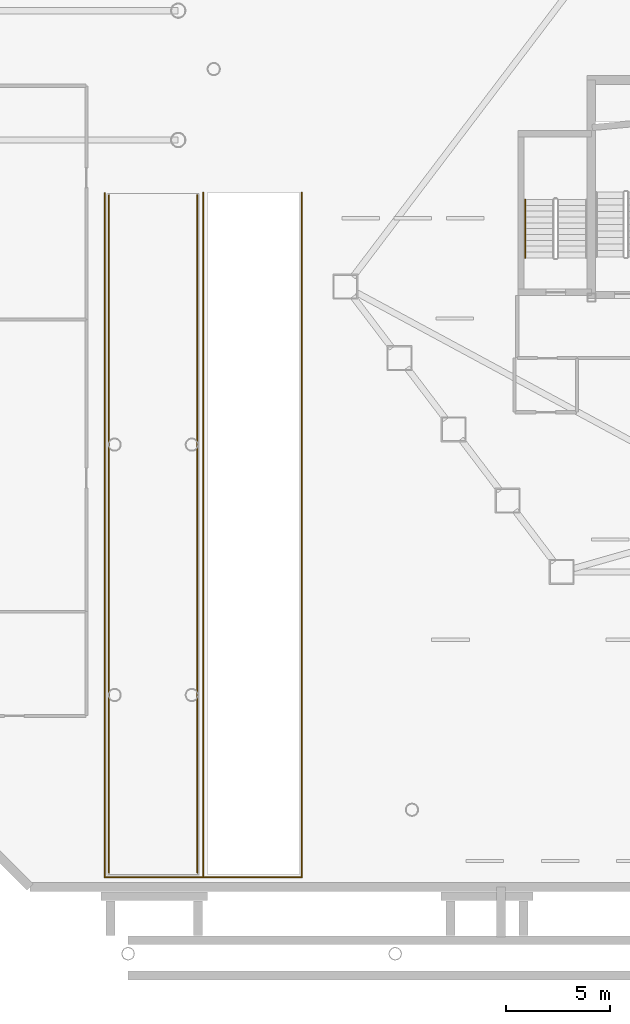
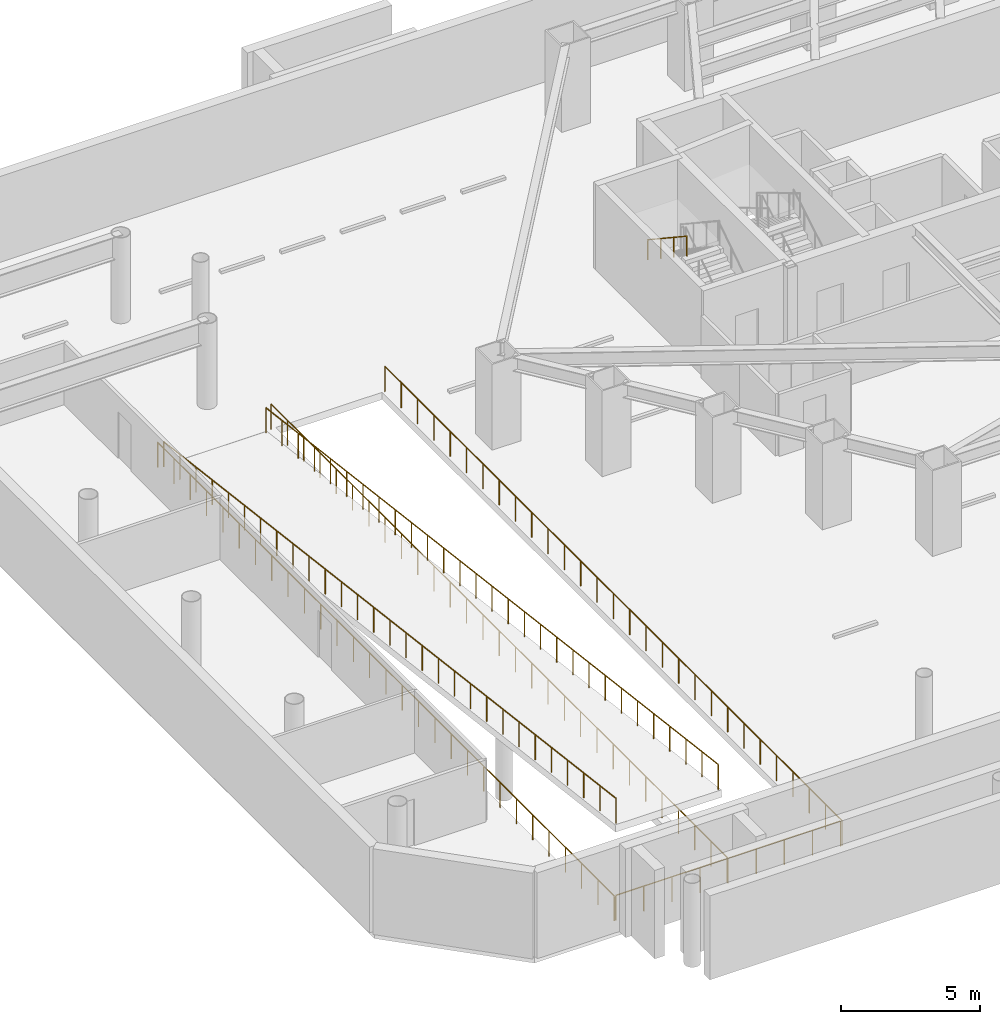
# One storey, part 13 of 15: 7 railings.
"""IFC4 building model written with IfcOpenShell, lengths in metres."""

from ifc_helpers import new_model, si_unit, direction, frame, origin, origin_2d, place, context, subcontext, project, spatial, circle, extrude, material, type_object, element, save


model = new_model("IFC4")

# Units and contexts
model_context = context("Model", 3, precision=1e-05, world=origin(), true_north=direction((0.0, 1.0)))
body_context = subcontext(model_context, "Body", "Model", "MODEL_VIEW")
ifc_project = project(units=[si_unit("LENGTHUNIT", "METRE"), si_unit("AREAUNIT", "SQUARE_METRE"), si_unit("VOLUMEUNIT", "CUBIC_METRE"), si_unit("PLANEANGLEUNIT", "RADIAN"), si_unit("MASSUNIT", "GRAM", prefix="KILO")], contexts=[model_context])

# Site, building, storey
site_placement = place(None, origin())
site = spatial("IfcSite", under=ifc_project, at=site_placement, CompositionType="ELEMENT")
building_placement = place(site_placement, origin())
building = spatial("IfcBuilding", under=site, at=building_placement, Name="Zarrinselat Tower", CompositionType="ELEMENT")
storey_placement = place(building_placement, frame((0.0, 0.0, -4.080078125)))
storey = spatial("IfcBuildingStorey", under=building, at=storey_placement, Name="B01", CompositionType="ELEMENT", Elevation=-4.080078125)

# Railings
ifc_material_1 = material(Name="Steel S355J2", Category="steel")
railing_type_1 = type_object("IfcRailingType", Name="RLG-STAIR-HAND", PredefinedType="HANDRAIL", material=ifc_material_1)
railing_1_placement = place(storey_placement, frame((25.429931640625, 37.75, 2.2255859375)))
element("IfcRailing", 1, at=railing_1_placement, inside=storey, type_object=railing_type_1, Name="B01 ST-3 stair handrail 2", PredefinedType="HANDRAIL", context=body_context, shape_type="SweptSolid", body=[
    extrude(circle(Radius=0.02392578125, at=origin_2d()), frame((0.0, 0.0, 0.8759765625), z_axis=(0.0, -0.833724036255, 0.552181339209), x_axis=(1.0, 0.0, 0.0)), (0.0, 0.0, 1.0), 3.3583984375),
    extrude(circle(Radius=0.02099609375, at=origin_2d()), origin(), (0.0, 0.0, 1.0), 0.849853515625),
    extrude(circle(Radius=0.02099609375, at=origin_2d()), frame((0.0, -0.933349609375, 0.6181640625)), (0.0, 0.0, 1.0), 0.849853515625),
    extrude(circle(Radius=0.02099609375, at=origin_2d()), frame((0.0, -1.86669921875, 1.236328125)), (0.0, 0.0, 1.0), 0.849853515625),
    extrude(circle(Radius=0.02099609375, at=origin_2d()), frame((0.0, -2.800048828125, 1.8544921875)), (0.0, 0.0, 1.0), 0.849853515625),
])
ifc_material_2 = material(Name="Steel S355J2", Category="steel")
railing_type_2 = type_object("IfcRailingType", Name="RLG-TERR-GUARD", PredefinedType="GUARDRAIL", material=ifc_material_2)
railing_2_placement = place(storey_placement, frame((5.280029296875, 38.050048828125, 0.0)))
element("IfcRailing", 2, at=railing_2_placement, inside=storey, type_object=railing_type_2, Name="B01 Vehicle Ramp Well Guardrail W", PredefinedType="GUARDRAIL", context=body_context, shape_type="SweptSolid", body=[
    extrude(circle(Radius=0.02392578125, at=origin_2d()), frame((0.0, 0.0, 1.09619140625), z_axis=(0.0, -1.0, 0.0), x_axis=(1.0, 0.0, 0.0)), (0.0, 0.0, 1.0), 32.7900390625),
    extrude(circle(Radius=0.02099609375, at=origin_2d()), origin(), (0.0, 0.0, 1.0), 1.070068359375),
    extrude(circle(Radius=0.02099609375, at=origin_2d()), frame((0.0, -1.171142578125, 0.0)), (0.0, 0.0, 1.0), 1.070068359375),
    extrude(circle(Radius=0.02099609375, at=origin_2d()), frame((0.0, -2.342041015625, 0.0)), (0.0, 0.0, 1.0), 1.070068359375),
    extrude(circle(Radius=0.02099609375, at=origin_2d()), frame((0.0, -3.51318359375, 0.0)), (0.0, 0.0, 1.0), 1.070068359375),
    extrude(circle(Radius=0.02099609375, at=origin_2d()), frame((0.0, -4.684326171875, 0.0)), (0.0, 0.0, 1.0), 1.070068359375),
    extrude(circle(Radius=0.02099609375, at=origin_2d()), frame((0.0, -5.85546875, 0.0)), (0.0, 0.0, 1.0), 1.070068359375),
    extrude(circle(Radius=0.02099609375, at=origin_2d()), frame((0.0, -7.0263671875, 0.0)), (0.0, 0.0, 1.0), 1.070068359375),
    extrude(circle(Radius=0.02099609375, at=origin_2d()), frame((0.0, -8.197509765625, 0.0)), (0.0, 0.0, 1.0), 1.070068359375),
    extrude(circle(Radius=0.02099609375, at=origin_2d()), frame((0.0, -9.36865234375, 0.0)), (0.0, 0.0, 1.0), 1.070068359375),
    extrude(circle(Radius=0.02099609375, at=origin_2d()), frame((0.0, -10.53955078125, 0.0)), (0.0, 0.0, 1.0), 1.070068359375),
    extrude(circle(Radius=0.02099609375, at=origin_2d()), frame((0.0, -11.710693359375, 0.0)), (0.0, 0.0, 1.0), 1.070068359375),
    extrude(circle(Radius=0.02099609375, at=origin_2d()), frame((0.0, -12.8818359375, 0.0)), (0.0, 0.0, 1.0), 1.070068359375),
    extrude(circle(Radius=0.02099609375, at=origin_2d()), frame((0.0, -14.052978515625, 0.0)), (0.0, 0.0, 1.0), 1.070068359375),
    extrude(circle(Radius=0.02099609375, at=origin_2d()), frame((0.0, -15.223876953125, 0.0)), (0.0, 0.0, 1.0), 1.070068359375),
    extrude(circle(Radius=0.02099609375, at=origin_2d()), frame((0.0, -16.39501953125, 0.0)), (0.0, 0.0, 1.0), 1.070068359375),
    extrude(circle(Radius=0.02099609375, at=origin_2d()), frame((0.0, -17.566162109375, 0.0)), (0.0, 0.0, 1.0), 1.070068359375),
    extrude(circle(Radius=0.02099609375, at=origin_2d()), frame((0.0, -18.737060546875, 0.0)), (0.0, 0.0, 1.0), 1.070068359375),
    extrude(circle(Radius=0.02099609375, at=origin_2d()), frame((0.0, -19.908203125, 0.0)), (0.0, 0.0, 1.0), 1.070068359375),
    extrude(circle(Radius=0.02099609375, at=origin_2d()), frame((0.0, -21.079345703125, 0.0)), (0.0, 0.0, 1.0), 1.070068359375),
    extrude(circle(Radius=0.02099609375, at=origin_2d()), frame((0.0, -22.25048828125, 0.0)), (0.0, 0.0, 1.0), 1.070068359375),
    extrude(circle(Radius=0.02099609375, at=origin_2d()), frame((0.0, -23.42138671875, 0.0)), (0.0, 0.0, 1.0), 1.070068359375),
    extrude(circle(Radius=0.02099609375, at=origin_2d()), frame((0.0, -24.592529296875, 0.0)), (0.0, 0.0, 1.0), 1.070068359375),
    extrude(circle(Radius=0.02099609375, at=origin_2d()), frame((0.0, -25.763671875, 0.0)), (0.0, 0.0, 1.0), 1.070068359375),
    extrude(circle(Radius=0.02099609375, at=origin_2d()), frame((0.0, -26.9345703125, 0.0)), (0.0, 0.0, 1.0), 1.070068359375),
    extrude(circle(Radius=0.02099609375, at=origin_2d()), frame((0.0, -28.105712890625, 0.0)), (0.0, 0.0, 1.0), 1.070068359375),
    extrude(circle(Radius=0.02099609375, at=origin_2d()), frame((0.0, -29.27685546875, 0.0)), (0.0, 0.0, 1.0), 1.070068359375),
    extrude(circle(Radius=0.02099609375, at=origin_2d()), frame((0.0, -30.447998046875, 0.0)), (0.0, 0.0, 1.0), 1.070068359375),
    extrude(circle(Radius=0.02099609375, at=origin_2d()), frame((0.0, -31.618896484375, 0.0)), (0.0, 0.0, 1.0), 1.070068359375),
    extrude(circle(Radius=0.02099609375, at=origin_2d()), frame((0.0, -32.7900390625, 0.0)), (0.0, 0.0, 1.0), 1.070068359375),
])
railing_3_placement = place(storey_placement, frame((5.340087890625, 5.260009765625, 0.0)))
element("IfcRailing", 3, at=railing_3_placement, inside=storey, type_object=railing_type_2, Name="B01 Vehicle Ramp Well Guardrail S", PredefinedType="GUARDRAIL", context=body_context, shape_type="SweptSolid", body=[
    extrude(circle(Radius=0.02392578125, at=origin_2d()), frame((0.0, 0.0, 1.09619140625), z_axis=(1.0, 0.0, 0.0), x_axis=(0.0, 1.0, 0.0)), (0.0, 0.0, 1.0), 9.31982421875),
    extrude(circle(Radius=0.02099609375, at=origin_2d()), origin(), (0.0, 0.0, 1.0), 1.070068359375),
    extrude(circle(Radius=0.02099609375, at=origin_2d()), frame((1.1650390625, 0.0, 0.0)), (0.0, 0.0, 1.0), 1.070068359375),
    extrude(circle(Radius=0.02099609375, at=origin_2d()), frame((2.330078125, 0.0, 0.0)), (0.0, 0.0, 1.0), 1.070068359375),
    extrude(circle(Radius=0.02099609375, at=origin_2d()), frame((3.494873046875, 0.0, 0.0)), (0.0, 0.0, 1.0), 1.070068359375),
    extrude(circle(Radius=0.02099609375, at=origin_2d()), frame((4.659912109375, 0.0, 0.0)), (0.0, 0.0, 1.0), 1.070068359375),
    extrude(circle(Radius=0.02099609375, at=origin_2d()), frame((5.824951171875, 0.0, 0.0)), (0.0, 0.0, 1.0), 1.070068359375),
    extrude(circle(Radius=0.02099609375, at=origin_2d()), frame((6.98974609375, 0.0, 0.0)), (0.0, 0.0, 1.0), 1.070068359375),
    extrude(circle(Radius=0.02099609375, at=origin_2d()), frame((8.15478515625, 0.0, 0.0)), (0.0, 0.0, 1.0), 1.070068359375),
    extrude(circle(Radius=0.02099609375, at=origin_2d()), frame((9.31982421875, 0.0, 0.0)), (0.0, 0.0, 1.0), 1.070068359375),
])
railing_4_placement = place(storey_placement, frame((10.0, 5.320068359375, 0.0)))
element("IfcRailing", 4, at=railing_4_placement, inside=storey, type_object=railing_type_2, Name="B01 Vehicle Ramp Well Guardrail M", PredefinedType="GUARDRAIL", context=body_context, shape_type="SweptSolid", body=[
    extrude(circle(Radius=0.02392578125, at=origin_2d()), frame((0.0, 0.0, 1.09619140625), z_axis=(0.0, 1.0, 0.0), x_axis=(-1.0, 0.0, 0.0)), (0.0, 0.0, 1.0), 32.760009765625),
    extrude(circle(Radius=0.02099609375, at=origin_2d()), origin(), (0.0, 0.0, 1.0), 1.070068359375),
    extrude(circle(Radius=0.02099609375, at=origin_2d()), frame((0.0, 1.169921875, 0.0)), (0.0, 0.0, 1.0), 1.070068359375),
    extrude(circle(Radius=0.02099609375, at=origin_2d()), frame((0.0, 2.340087890625, 0.0)), (0.0, 0.0, 1.0), 1.070068359375),
    extrude(circle(Radius=0.02099609375, at=origin_2d()), frame((0.0, 3.510009765625, 0.0)), (0.0, 0.0, 1.0), 1.070068359375),
    extrude(circle(Radius=0.02099609375, at=origin_2d()), frame((0.0, 4.679931640625, 0.0)), (0.0, 0.0, 1.0), 1.070068359375),
    extrude(circle(Radius=0.02099609375, at=origin_2d()), frame((0.0, 5.85009765625, 0.0)), (0.0, 0.0, 1.0), 1.070068359375),
    extrude(circle(Radius=0.02099609375, at=origin_2d()), frame((0.0, 7.02001953125, 0.0)), (0.0, 0.0, 1.0), 1.070068359375),
    extrude(circle(Radius=0.02099609375, at=origin_2d()), frame((0.0, 8.18994140625, 0.0)), (0.0, 0.0, 1.0), 1.070068359375),
    extrude(circle(Radius=0.02099609375, at=origin_2d()), frame((0.0, 9.360107421875, 0.0)), (0.0, 0.0, 1.0), 1.070068359375),
    extrude(circle(Radius=0.02099609375, at=origin_2d()), frame((0.0, 10.530029296875, 0.0)), (0.0, 0.0, 1.0), 1.070068359375),
    extrude(circle(Radius=0.02099609375, at=origin_2d()), frame((0.0, 11.699951171875, 0.0)), (0.0, 0.0, 1.0), 1.070068359375),
    extrude(circle(Radius=0.02099609375, at=origin_2d()), frame((0.0, 12.8701171875, 0.0)), (0.0, 0.0, 1.0), 1.070068359375),
    extrude(circle(Radius=0.02099609375, at=origin_2d()), frame((0.0, 14.0400390625, 0.0)), (0.0, 0.0, 1.0), 1.070068359375),
    extrude(circle(Radius=0.02099609375, at=origin_2d()), frame((0.0, 15.2099609375, 0.0)), (0.0, 0.0, 1.0), 1.070068359375),
    extrude(circle(Radius=0.02099609375, at=origin_2d()), frame((0.0, 16.3798828125, 0.0)), (0.0, 0.0, 1.0), 1.070068359375),
    extrude(circle(Radius=0.02099609375, at=origin_2d()), frame((0.0, 17.550048828125, 0.0)), (0.0, 0.0, 1.0), 1.070068359375),
    extrude(circle(Radius=0.02099609375, at=origin_2d()), frame((0.0, 18.719970703125, 0.0)), (0.0, 0.0, 1.0), 1.070068359375),
    extrude(circle(Radius=0.02099609375, at=origin_2d()), frame((0.0, 19.889892578125, 0.0)), (0.0, 0.0, 1.0), 1.070068359375),
    extrude(circle(Radius=0.02099609375, at=origin_2d()), frame((0.0, 21.06005859375, 0.0)), (0.0, 0.0, 1.0), 1.070068359375),
    extrude(circle(Radius=0.02099609375, at=origin_2d()), frame((0.0, 22.22998046875, 0.0)), (0.0, 0.0, 1.0), 1.070068359375),
    extrude(circle(Radius=0.02099609375, at=origin_2d()), frame((0.0, 23.39990234375, 0.0)), (0.0, 0.0, 1.0), 1.070068359375),
    extrude(circle(Radius=0.02099609375, at=origin_2d()), frame((0.0, 24.570068359375, 0.0)), (0.0, 0.0, 1.0), 1.070068359375),
    extrude(circle(Radius=0.02099609375, at=origin_2d()), frame((0.0, 25.739990234375, 0.0)), (0.0, 0.0, 1.0), 1.070068359375),
    extrude(circle(Radius=0.02099609375, at=origin_2d()), frame((0.0, 26.909912109375, 0.0)), (0.0, 0.0, 1.0), 1.070068359375),
    extrude(circle(Radius=0.02099609375, at=origin_2d()), frame((0.0, 28.080078125, 0.0)), (0.0, 0.0, 1.0), 1.070068359375),
    extrude(circle(Radius=0.02099609375, at=origin_2d()), frame((0.0, 29.25, 0.0)), (0.0, 0.0, 1.0), 1.070068359375),
    extrude(circle(Radius=0.02099609375, at=origin_2d()), frame((0.0, 30.419921875, 0.0)), (0.0, 0.0, 1.0), 1.070068359375),
    extrude(circle(Radius=0.02099609375, at=origin_2d()), frame((0.0, 31.590087890625, 0.0)), (0.0, 0.0, 1.0), 1.070068359375),
    extrude(circle(Radius=0.02099609375, at=origin_2d()), frame((0.0, 32.760009765625, 0.0)), (0.0, 0.0, 1.0), 1.070068359375),
])
railing_5_placement = place(storey_placement, frame((14.719970703125, 5.260009765625, 0.0)))
element("IfcRailing", 5, at=railing_5_placement, inside=storey, type_object=railing_type_2, Name="B01 Vehicle Ramp Well Guardrail E", PredefinedType="GUARDRAIL", context=body_context, shape_type="SweptSolid", body=[
    extrude(circle(Radius=0.02392578125, at=origin_2d()), frame((0.0, 0.0, 1.09619140625), z_axis=(0.0, 1.0, 0.0), x_axis=(-1.0, 0.0, 0.0)), (0.0, 0.0, 1.0), 32.820068359375),
    extrude(circle(Radius=0.02099609375, at=origin_2d()), origin(), (0.0, 0.0, 1.0), 1.070068359375),
    extrude(circle(Radius=0.02099609375, at=origin_2d()), frame((0.0, 1.172119140625, 0.0)), (0.0, 0.0, 1.0), 1.070068359375),
    extrude(circle(Radius=0.02099609375, at=origin_2d()), frame((0.0, 2.34423828125, 0.0)), (0.0, 0.0, 1.0), 1.070068359375),
    extrude(circle(Radius=0.02099609375, at=origin_2d()), frame((0.0, 3.516357421875, 0.0)), (0.0, 0.0, 1.0), 1.070068359375),
    extrude(circle(Radius=0.02099609375, at=origin_2d()), frame((0.0, 4.6884765625, 0.0)), (0.0, 0.0, 1.0), 1.070068359375),
    extrude(circle(Radius=0.02099609375, at=origin_2d()), frame((0.0, 5.86083984375, 0.0)), (0.0, 0.0, 1.0), 1.070068359375),
    extrude(circle(Radius=0.02099609375, at=origin_2d()), frame((0.0, 7.032958984375, 0.0)), (0.0, 0.0, 1.0), 1.070068359375),
    extrude(circle(Radius=0.02099609375, at=origin_2d()), frame((0.0, 8.205078125, 0.0)), (0.0, 0.0, 1.0), 1.070068359375),
    extrude(circle(Radius=0.02099609375, at=origin_2d()), frame((0.0, 9.377197265625, 0.0)), (0.0, 0.0, 1.0), 1.070068359375),
    extrude(circle(Radius=0.02099609375, at=origin_2d()), frame((0.0, 10.54931640625, 0.0)), (0.0, 0.0, 1.0), 1.070068359375),
    extrude(circle(Radius=0.02099609375, at=origin_2d()), frame((0.0, 11.721435546875, 0.0)), (0.0, 0.0, 1.0), 1.070068359375),
    extrude(circle(Radius=0.02099609375, at=origin_2d()), frame((0.0, 12.8935546875, 0.0)), (0.0, 0.0, 1.0), 1.070068359375),
    extrude(circle(Radius=0.02099609375, at=origin_2d()), frame((0.0, 14.065673828125, 0.0)), (0.0, 0.0, 1.0), 1.070068359375),
    extrude(circle(Radius=0.02099609375, at=origin_2d()), frame((0.0, 15.23779296875, 0.0)), (0.0, 0.0, 1.0), 1.070068359375),
    extrude(circle(Radius=0.02099609375, at=origin_2d()), frame((0.0, 16.41015625, 0.0)), (0.0, 0.0, 1.0), 1.070068359375),
    extrude(circle(Radius=0.02099609375, at=origin_2d()), frame((0.0, 17.582275390625, 0.0)), (0.0, 0.0, 1.0), 1.070068359375),
    extrude(circle(Radius=0.02099609375, at=origin_2d()), frame((0.0, 18.75439453125, 0.0)), (0.0, 0.0, 1.0), 1.070068359375),
    extrude(circle(Radius=0.02099609375, at=origin_2d()), frame((0.0, 19.926513671875, 0.0)), (0.0, 0.0, 1.0), 1.070068359375),
    extrude(circle(Radius=0.02099609375, at=origin_2d()), frame((0.0, 21.0986328125, 0.0)), (0.0, 0.0, 1.0), 1.070068359375),
    extrude(circle(Radius=0.02099609375, at=origin_2d()), frame((0.0, 22.270751953125, 0.0)), (0.0, 0.0, 1.0), 1.070068359375),
    extrude(circle(Radius=0.02099609375, at=origin_2d()), frame((0.0, 23.44287109375, 0.0)), (0.0, 0.0, 1.0), 1.070068359375),
    extrude(circle(Radius=0.02099609375, at=origin_2d()), frame((0.0, 24.614990234375, 0.0)), (0.0, 0.0, 1.0), 1.070068359375),
    extrude(circle(Radius=0.02099609375, at=origin_2d()), frame((0.0, 25.787109375, 0.0)), (0.0, 0.0, 1.0), 1.070068359375),
    extrude(circle(Radius=0.02099609375, at=origin_2d()), frame((0.0, 26.959228515625, 0.0)), (0.0, 0.0, 1.0), 1.070068359375),
    extrude(circle(Radius=0.02099609375, at=origin_2d()), frame((0.0, 28.131591796875, 0.0)), (0.0, 0.0, 1.0), 1.070068359375),
    extrude(circle(Radius=0.02099609375, at=origin_2d()), frame((0.0, 29.3037109375, 0.0)), (0.0, 0.0, 1.0), 1.070068359375),
    extrude(circle(Radius=0.02099609375, at=origin_2d()), frame((0.0, 30.475830078125, 0.0)), (0.0, 0.0, 1.0), 1.070068359375),
    extrude(circle(Radius=0.02099609375, at=origin_2d()), frame((0.0, 31.64794921875, 0.0)), (0.0, 0.0, 1.0), 1.070068359375),
    extrude(circle(Radius=0.02099609375, at=origin_2d()), frame((0.0, 32.820068359375, 0.0)), (0.0, 0.0, 1.0), 1.070068359375),
])
railing_6_placement = place(storey_placement, frame((5.47998046875, 37.9599609375, 0.010009765625)))
element("IfcRailing", 6, at=railing_6_placement, inside=storey, type_object=railing_type_2, Name="B01 Vehicle Ramp R2 Edge Guardrail W", PredefinedType="GUARDRAIL", context=body_context, shape_type="SweptSolid", body=[
    extrude(circle(Radius=0.02392578125, at=origin_2d()), frame((0.0, 0.0, 1.09619140625), z_axis=(0.0, -0.992277647216, 0.124036570553), x_axis=(1.0, 0.0, 0.0)), (0.0, 0.0, 1.0), 32.732666015625),
    extrude(circle(Radius=0.02099609375, at=origin_2d()), origin(), (0.0, 0.0, 1.0), 1.070068359375),
    extrude(circle(Radius=0.02099609375, at=origin_2d()), frame((0.0, -1.159912109375, 0.14501953125)), (0.0, 0.0, 1.0), 1.070068359375),
    extrude(circle(Radius=0.02099609375, at=origin_2d()), frame((0.0, -2.320068359375, 0.2900390625)), (0.0, 0.0, 1.0), 1.070068359375),
    extrude(circle(Radius=0.02099609375, at=origin_2d()), frame((0.0, -3.47998046875, 0.43505859375)), (0.0, 0.0, 1.0), 1.070068359375),
    extrude(circle(Radius=0.02099609375, at=origin_2d()), frame((0.0, -4.639892578125, 0.580078125)), (0.0, 0.0, 1.0), 1.070068359375),
    extrude(circle(Radius=0.02099609375, at=origin_2d()), frame((0.0, -5.800048828125, 0.72509765625)), (0.0, 0.0, 1.0), 1.070068359375),
    extrude(circle(Radius=0.02099609375, at=origin_2d()), frame((0.0, -6.9599609375, 0.8701171875)), (0.0, 0.0, 1.0), 1.070068359375),
    extrude(circle(Radius=0.02099609375, at=origin_2d()), frame((0.0, -8.1201171875, 1.01513671875)), (0.0, 0.0, 1.0), 1.070068359375),
    extrude(circle(Radius=0.02099609375, at=origin_2d()), frame((0.0, -9.280029296875, 1.159912109375)), (0.0, 0.0, 1.0), 1.070068359375),
    extrude(circle(Radius=0.02099609375, at=origin_2d()), frame((0.0, -10.43994140625, 1.304931640625)), (0.0, 0.0, 1.0), 1.070068359375),
    extrude(circle(Radius=0.02099609375, at=origin_2d()), frame((0.0, -11.60009765625, 1.449951171875)), (0.0, 0.0, 1.0), 1.070068359375),
    extrude(circle(Radius=0.02099609375, at=origin_2d()), frame((0.0, -12.760009765625, 1.594970703125)), (0.0, 0.0, 1.0), 1.070068359375),
    extrude(circle(Radius=0.02099609375, at=origin_2d()), frame((0.0, -13.919921875, 1.739990234375)), (0.0, 0.0, 1.0), 1.070068359375),
    extrude(circle(Radius=0.02099609375, at=origin_2d()), frame((0.0, -15.080078125, 1.885009765625)), (0.0, 0.0, 1.0), 1.070068359375),
    extrude(circle(Radius=0.02099609375, at=origin_2d()), frame((0.0, -16.239990234375, 2.030029296875)), (0.0, 0.0, 1.0), 1.070068359375),
    extrude(circle(Radius=0.02099609375, at=origin_2d()), frame((0.0, -17.39990234375, 2.175048828125)), (0.0, 0.0, 1.0), 1.070068359375),
    extrude(circle(Radius=0.02099609375, at=origin_2d()), frame((0.0, -18.56005859375, 2.320068359375)), (0.0, 0.0, 1.0), 1.070068359375),
    extrude(circle(Radius=0.02099609375, at=origin_2d()), frame((0.0, -19.719970703125, 2.465087890625)), (0.0, 0.0, 1.0), 1.070068359375),
    extrude(circle(Radius=0.02099609375, at=origin_2d()), frame((0.0, -20.8798828125, 2.610107421875)), (0.0, 0.0, 1.0), 1.070068359375),
    extrude(circle(Radius=0.02099609375, at=origin_2d()), frame((0.0, -22.0400390625, 2.755126953125)), (0.0, 0.0, 1.0), 1.070068359375),
    extrude(circle(Radius=0.02099609375, at=origin_2d()), frame((0.0, -23.199951171875, 2.900146484375)), (0.0, 0.0, 1.0), 1.070068359375),
    extrude(circle(Radius=0.02099609375, at=origin_2d()), frame((0.0, -24.35986328125, 3.044921875)), (0.0, 0.0, 1.0), 1.070068359375),
    extrude(circle(Radius=0.02099609375, at=origin_2d()), frame((0.0, -25.52001953125, 3.18994140625)), (0.0, 0.0, 1.0), 1.070068359375),
    extrude(circle(Radius=0.02099609375, at=origin_2d()), frame((0.0, -26.679931640625, 3.3349609375)), (0.0, 0.0, 1.0), 1.070068359375),
    extrude(circle(Radius=0.02099609375, at=origin_2d()), frame((0.0, -27.840087890625, 3.47998046875)), (0.0, 0.0, 1.0), 1.070068359375),
    extrude(circle(Radius=0.02099609375, at=origin_2d()), frame((0.0, -29.0, 3.625)), (0.0, 0.0, 1.0), 1.070068359375),
    extrude(circle(Radius=0.02099609375, at=origin_2d()), frame((0.0, -30.159912109375, 3.77001953125)), (0.0, 0.0, 1.0), 1.070068359375),
    extrude(circle(Radius=0.02099609375, at=origin_2d()), frame((0.0, -31.320068359375, 3.9150390625)), (0.0, 0.0, 1.0), 1.070068359375),
    extrude(circle(Radius=0.02099609375, at=origin_2d()), frame((0.0, -32.47998046875, 4.06005859375)), (0.0, 0.0, 1.0), 1.070068359375),
])
railing_7_placement = place(storey_placement, frame((9.719970703125, 37.9599609375, 0.010009765625)))
element("IfcRailing", 7, at=railing_7_placement, inside=storey, type_object=railing_type_2, Name="B01 Vehicle Ramp R2 Edge Guardrail E", PredefinedType="GUARDRAIL", context=body_context, shape_type="SweptSolid", body=[
    extrude(circle(Radius=0.02392578125, at=origin_2d()), frame((0.0, 0.0, 1.09619140625), z_axis=(0.0, -0.992277647216, 0.124036570553), x_axis=(1.0, 0.0, 0.0)), (0.0, 0.0, 1.0), 32.732666015625),
    extrude(circle(Radius=0.02099609375, at=origin_2d()), origin(), (0.0, 0.0, 1.0), 1.070068359375),
    extrude(circle(Radius=0.02099609375, at=origin_2d()), frame((0.0, -1.159912109375, 0.14501953125)), (0.0, 0.0, 1.0), 1.070068359375),
    extrude(circle(Radius=0.02099609375, at=origin_2d()), frame((0.0, -2.320068359375, 0.2900390625)), (0.0, 0.0, 1.0), 1.070068359375),
    extrude(circle(Radius=0.02099609375, at=origin_2d()), frame((0.0, -3.47998046875, 0.43505859375)), (0.0, 0.0, 1.0), 1.070068359375),
    extrude(circle(Radius=0.02099609375, at=origin_2d()), frame((0.0, -4.639892578125, 0.580078125)), (0.0, 0.0, 1.0), 1.070068359375),
    extrude(circle(Radius=0.02099609375, at=origin_2d()), frame((0.0, -5.800048828125, 0.72509765625)), (0.0, 0.0, 1.0), 1.070068359375),
    extrude(circle(Radius=0.02099609375, at=origin_2d()), frame((0.0, -6.9599609375, 0.8701171875)), (0.0, 0.0, 1.0), 1.070068359375),
    extrude(circle(Radius=0.02099609375, at=origin_2d()), frame((0.0, -8.1201171875, 1.01513671875)), (0.0, 0.0, 1.0), 1.070068359375),
    extrude(circle(Radius=0.02099609375, at=origin_2d()), frame((0.0, -9.280029296875, 1.159912109375)), (0.0, 0.0, 1.0), 1.070068359375),
    extrude(circle(Radius=0.02099609375, at=origin_2d()), frame((0.0, -10.43994140625, 1.304931640625)), (0.0, 0.0, 1.0), 1.070068359375),
    extrude(circle(Radius=0.02099609375, at=origin_2d()), frame((0.0, -11.60009765625, 1.449951171875)), (0.0, 0.0, 1.0), 1.070068359375),
    extrude(circle(Radius=0.02099609375, at=origin_2d()), frame((0.0, -12.760009765625, 1.594970703125)), (0.0, 0.0, 1.0), 1.070068359375),
    extrude(circle(Radius=0.02099609375, at=origin_2d()), frame((0.0, -13.919921875, 1.739990234375)), (0.0, 0.0, 1.0), 1.070068359375),
    extrude(circle(Radius=0.02099609375, at=origin_2d()), frame((0.0, -15.080078125, 1.885009765625)), (0.0, 0.0, 1.0), 1.070068359375),
    extrude(circle(Radius=0.02099609375, at=origin_2d()), frame((0.0, -16.239990234375, 2.030029296875)), (0.0, 0.0, 1.0), 1.070068359375),
    extrude(circle(Radius=0.02099609375, at=origin_2d()), frame((0.0, -17.39990234375, 2.175048828125)), (0.0, 0.0, 1.0), 1.070068359375),
    extrude(circle(Radius=0.02099609375, at=origin_2d()), frame((0.0, -18.56005859375, 2.320068359375)), (0.0, 0.0, 1.0), 1.070068359375),
    extrude(circle(Radius=0.02099609375, at=origin_2d()), frame((0.0, -19.719970703125, 2.465087890625)), (0.0, 0.0, 1.0), 1.070068359375),
    extrude(circle(Radius=0.02099609375, at=origin_2d()), frame((0.0, -20.8798828125, 2.610107421875)), (0.0, 0.0, 1.0), 1.070068359375),
    extrude(circle(Radius=0.02099609375, at=origin_2d()), frame((0.0, -22.0400390625, 2.755126953125)), (0.0, 0.0, 1.0), 1.070068359375),
    extrude(circle(Radius=0.02099609375, at=origin_2d()), frame((0.0, -23.199951171875, 2.900146484375)), (0.0, 0.0, 1.0), 1.070068359375),
    extrude(circle(Radius=0.02099609375, at=origin_2d()), frame((0.0, -24.35986328125, 3.044921875)), (0.0, 0.0, 1.0), 1.070068359375),
    extrude(circle(Radius=0.02099609375, at=origin_2d()), frame((0.0, -25.52001953125, 3.18994140625)), (0.0, 0.0, 1.0), 1.070068359375),
    extrude(circle(Radius=0.02099609375, at=origin_2d()), frame((0.0, -26.679931640625, 3.3349609375)), (0.0, 0.0, 1.0), 1.070068359375),
    extrude(circle(Radius=0.02099609375, at=origin_2d()), frame((0.0, -27.840087890625, 3.47998046875)), (0.0, 0.0, 1.0), 1.070068359375),
    extrude(circle(Radius=0.02099609375, at=origin_2d()), frame((0.0, -29.0, 3.625)), (0.0, 0.0, 1.0), 1.070068359375),
    extrude(circle(Radius=0.02099609375, at=origin_2d()), frame((0.0, -30.159912109375, 3.77001953125)), (0.0, 0.0, 1.0), 1.070068359375),
    extrude(circle(Radius=0.02099609375, at=origin_2d()), frame((0.0, -31.320068359375, 3.9150390625)), (0.0, 0.0, 1.0), 1.070068359375),
    extrude(circle(Radius=0.02099609375, at=origin_2d()), frame((0.0, -32.47998046875, 4.06005859375)), (0.0, 0.0, 1.0), 1.070068359375),
])

save(model, "model.ifc")
